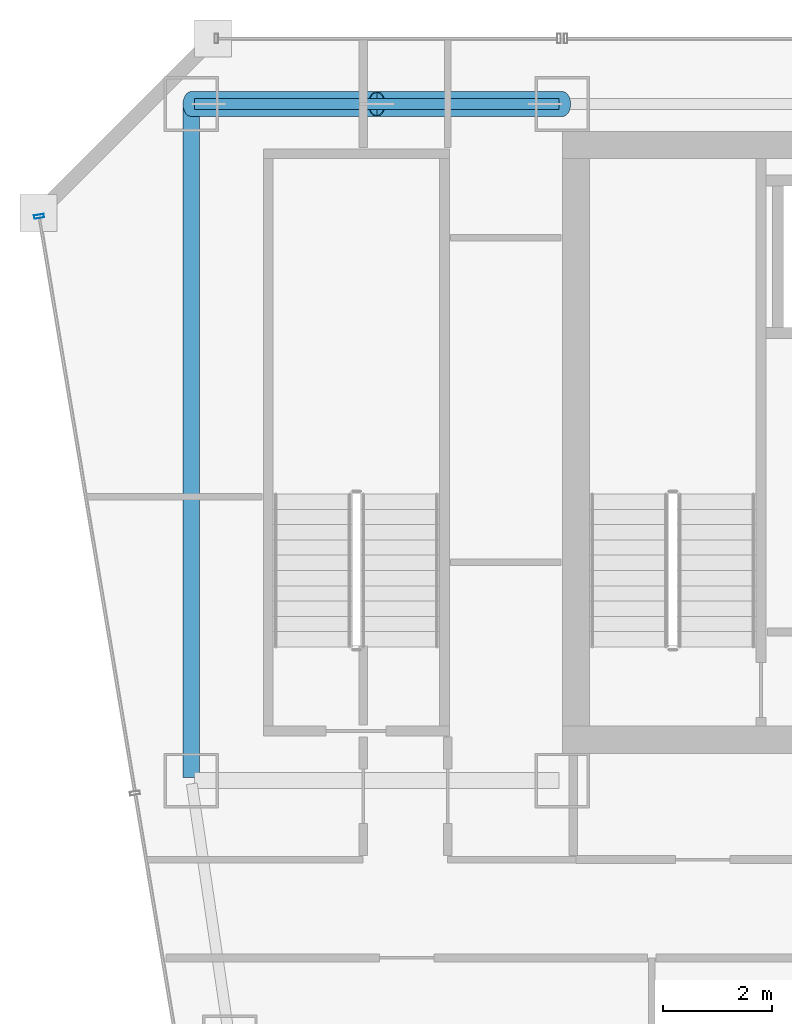
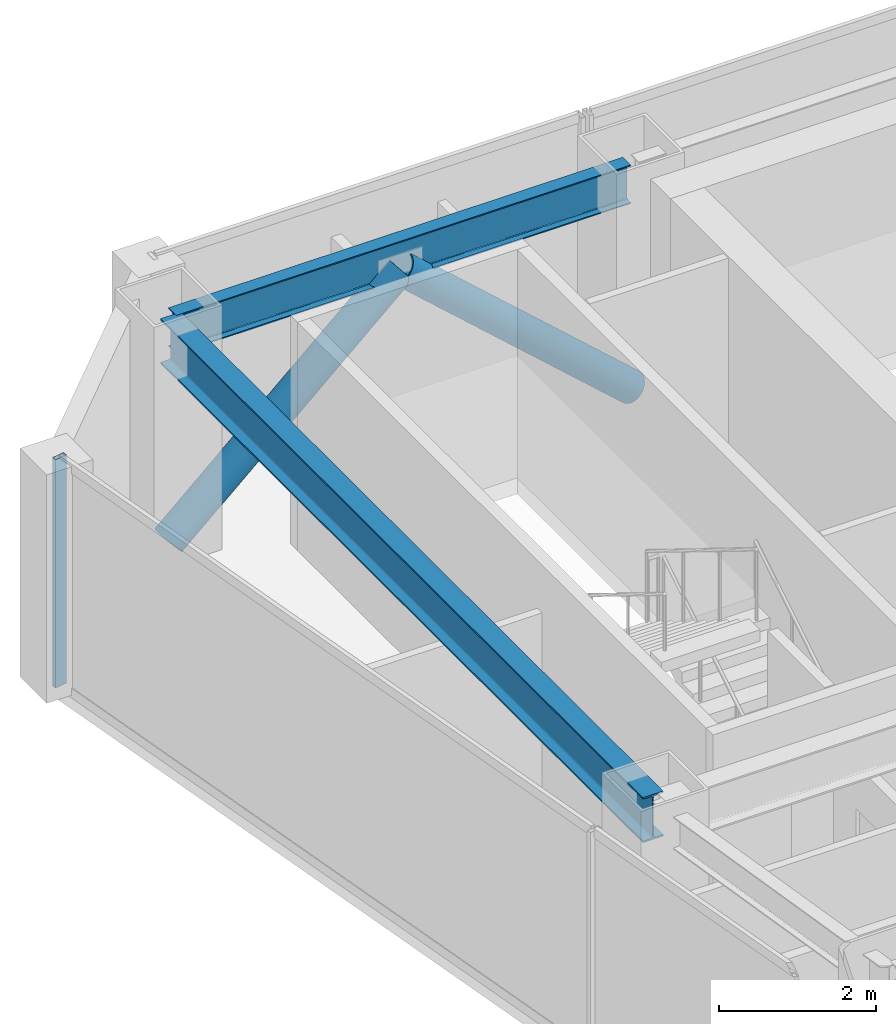
# One storey, part 20 of 36: 3 members, 2 beams, 1 element without a shape of its own.
"""IFC4 building model written with IfcOpenShell, lengths in metres."""

import ifcopenshell
import ifcopenshell.guid

model = None  # the IFC model being written
_history = None  # IfcOwnerHistory: only IFC2X3 demands one
_inside = {}  # id of a spatial element -> (the spatial element, [elements in it])
_under = {}  # id of a project, library or spatial element -> (it, [spatial elements below it])
_declared = {}  # id of a project -> (the project, [libraries it declares])
_typed = {}  # id of a type object -> (the type object, [elements of that type])
_made_of = {}  # id of a material, layer set ... -> (it, [elements and type objects made of it])


def new_model(schema):
    """Start an empty IFC model of exactly this schema.

    Asked for "IFC4X3", IfcOpenShell would pick the latest addendum, in which some entities
    have other attributes; the version numbers below select the first issue.
    IFC2X3 requires an IfcOwnerHistory on every rooted entity: one is made here for all.
    """
    global model, _history
    if schema == "IFC4X3":
        model = ifcopenshell.file(schema_version=(4, 3, 0, 0))
    else:
        model = ifcopenshell.file(schema=schema)
    _inside.clear()
    _under.clear()
    _declared.clear()
    _typed.clear()
    _made_of.clear()
    _history = None
    if model.schema == "IFC2X3":
        org = make("IfcOrganization", Name="unknown")
        user = make(
            "IfcPersonAndOrganization",
            ThePerson=make("IfcPerson", FamilyName="unknown"),
            TheOrganization=org,
        )
        app = make(
            "IfcApplication",
            ApplicationDeveloper=org,
            Version="unknown",
            ApplicationFullName="unknown",
            ApplicationIdentifier="unknown",
        )
        _history = make(
            "IfcOwnerHistory",
            OwningUser=user,
            OwningApplication=app,
            ChangeAction="ADDED",
            CreationDate=0,
        )
    return model


def make(cls, **values):
    """One entity of the class cls with the attributes given. An attribute that is None is left unset."""
    return model.create_entity(
        cls, **{name: value for name, value in values.items() if value is not None}
    )


def rooted(cls, **values):
    """An entity with a GlobalId (a new one), such as an element, a storey or a relation."""
    return make(cls, GlobalId=ifcopenshell.guid.new(), OwnerHistory=_history, **values)


def si_unit(unit_type, name, prefix=None):
    """IfcSIUnit, for example si_unit("LENGTHUNIT", "METRE", prefix="MILLI")."""
    return make("IfcSIUnit", UnitType=unit_type, Prefix=prefix, Name=name)


def assignment(units):
    """IfcUnitAssignment: the units of a project."""
    return None if units is None else make("IfcUnitAssignment", Units=units)


def point(xyz):
    """IfcCartesianPoint."""
    return None if xyz is None else make("IfcCartesianPoint", Coordinates=xyz)


def direction(xyz):
    """IfcDirection."""
    return None if xyz is None else make("IfcDirection", DirectionRatios=xyz)


def frame(location, z_axis=None, x_axis=None):
    """IfcAxis2Placement3D, a coordinate frame: its origin and axes. An axis left out is left unset."""
    return make(
        "IfcAxis2Placement3D",
        Location=point(location),
        Axis=direction(z_axis),
        RefDirection=direction(x_axis),
    )


def frame_2d(location, x_axis=None):
    """IfcAxis2Placement2D, a coordinate frame in the plane: its origin and x axis."""
    return make(
        "IfcAxis2Placement2D", Location=point(location), RefDirection=direction(x_axis)
    )


def origin():
    """The frame at (0, 0, 0) with its axes left unset."""
    return frame((0.0, 0.0, 0.0))


def origin_2d():
    """The frame at (0, 0) in the plane with its x axis left unset."""
    return frame_2d((0.0, 0.0))


def place(relative_to, where):
    """IfcLocalPlacement: puts the frame where relative to a parent placement (None: the world)."""
    return make(
        "IfcLocalPlacement", PlacementRelTo=relative_to, RelativePlacement=where
    )


def context(
    kind, dimensions, precision=None, world=None, true_north=None, identifier=None
):
    """IfcGeometricRepresentationContext, for example the 3D "Model" context."""
    return make(
        "IfcGeometricRepresentationContext",
        ContextIdentifier=identifier,
        ContextType=kind,
        CoordinateSpaceDimension=dimensions,
        Precision=precision,
        WorldCoordinateSystem=world,
        TrueNorth=true_north,
    )


def subcontext(parent, identifier, kind, view, scale=None):
    """IfcGeometricRepresentationSubContext, for example "Body" below "Model"."""
    return make(
        "IfcGeometricRepresentationSubContext",
        ContextIdentifier=identifier,
        ContextType=kind,
        ParentContext=parent,
        TargetScale=scale,
        TargetView=view,
    )


def project(units=None, contexts=None):
    """IfcProject with its units and contexts."""
    return rooted(
        "IfcProject",
        Name="project",
        RepresentationContexts=contexts,
        UnitsInContext=assignment(units),
    )


def spatial(cls, under=None, at=None, **own):
    """A site, building, storey or space (cls), placed at a placement, below another one or the project."""
    s = rooted(cls, ObjectPlacement=at, **own)
    if under is not None:
        _under.setdefault(under.id(), (under, []))[1].append(s)
    return s


def profile(cls, at=None, kind="AREA", **sizes):
    """A parametric profile (cls). Its sizes go by their IFC names, for example OverallWidth=200.0."""
    return make(cls, ProfileType=kind, Position=at, **sizes)


def hollow_rectangle(**sizes):
    """IfcRectangleHollowProfileDef."""
    return profile("IfcRectangleHollowProfileDef", **sizes)


def hollow_circle(**sizes):
    """IfcCircleHollowProfileDef."""
    return profile("IfcCircleHollowProfileDef", **sizes)


def i_section(**sizes):
    """IfcIShapeProfileDef."""
    return profile("IfcIShapeProfileDef", **sizes)


def extrude(swept, where, along, depth):
    """IfcExtrudedAreaSolid: the profile swept, set in the frame where, extruded along a direction by depth."""
    return make(
        "IfcExtrudedAreaSolid",
        SweptArea=swept,
        Position=where,
        ExtrudedDirection=direction(along),
        Depth=depth,
    )


def shape(context_of_items, identifier, shape_type, items):
    """IfcShapeRepresentation: the items that make up one representation, for example the "Body"."""
    return make(
        "IfcShapeRepresentation",
        ContextOfItems=context_of_items,
        RepresentationIdentifier=identifier,
        RepresentationType=shape_type,
        Items=items,
    )


def material(Name=None, Category=None):
    """IfcMaterial."""
    return make("IfcMaterial", Name=Name, Category=Category)


def material_profile(
    of_material, cross_section, Name=None, Category=None, Priority=None
):
    """IfcMaterialProfile: a cross section and its material."""
    return make(
        "IfcMaterialProfile",
        Name=Name,
        Material=of_material,
        Profile=cross_section,
        Priority=Priority,
        Category=Category,
    )


def profile_set(profiles, Name=None, composite=None):
    """IfcMaterialProfileSet."""
    return make(
        "IfcMaterialProfileSet",
        Name=Name,
        MaterialProfiles=profiles,
        CompositeProfile=composite,
    )


def made_of(thing, what):
    """Note that an element or type object is made of a material, layer set ...; save() writes the relation."""
    if what is not None:
        _made_of.setdefault(what.id(), (what, []))[1].append(thing)
    return thing


def type_object(cls, material=None, **own):
    """A type object (cls), such as IfcWallType, which elements share."""
    return made_of(rooted(cls, **own), material)


def element(
    cls,
    number,
    at=None,
    inside=None,
    cuts=None,
    type_object=None,
    material=None,
    context=None,
    identifier="Body",
    shape_type=None,
    held_by="IfcProductDefinitionShape",
    body=None,
    shapes=None,
    **own,
):
    """One element of the class cls, such as IfcWall. Its Tag is "e" and its number.

    at: its placement. inside: the storey or other place that contains it. cuts: it is an
    opening in that element (IfcRelVoidsElement). A single representation is given by context,
    identifier, shape_type and body (its items); several are given by shapes. held_by: the class
    of the entity that holds the representations. save() writes the other relations.
    """
    e = rooted(cls, Tag="e%d" % number, ObjectPlacement=at, **own)
    if body is not None:
        shapes = [shape(context, identifier, shape_type, body)]
    if shapes is not None:
        e.Representation = make(held_by, Representations=shapes)
    if inside is not None:
        _inside.setdefault(inside.id(), (inside, []))[1].append(e)
    if cuts is not None:
        rooted(
            "IfcRelVoidsElement", RelatingBuildingElement=cuts, RelatedOpeningElement=e
        )
    if type_object is not None:
        _typed.setdefault(type_object.id(), (type_object, []))[1].append(e)
    return made_of(e, material)


def aggregate(whole, parts):
    """IfcRelAggregates: a whole, such as a stair, and the parts it consists of."""
    return rooted("IfcRelAggregates", RelatingObject=whole, RelatedObjects=parts)


def save(model, path):
    """Write the relations noted so far, then the file.

    IfcRelAggregates (storeys below a building ...), IfcRelContainedInSpatialStructure (elements
    in a storey), IfcRelDefinesByType, IfcRelAssociatesMaterial and IfcRelDeclares: one each for
    every whole, place, type object, material and project.
    """
    for whole, parts in _under.values():
        aggregate(whole, parts)
    for where, things in _inside.values():
        rooted(
            "IfcRelContainedInSpatialStructure",
            RelatedElements=things,
            RelatingStructure=where,
        )
    for kind, things in _typed.values():
        rooted("IfcRelDefinesByType", RelatedObjects=things, RelatingType=kind)
    for what, things in _made_of.values():
        rooted("IfcRelAssociatesMaterial", RelatedObjects=things, RelatingMaterial=what)
    for by, libraries in _declared.values():
        rooted("IfcRelDeclares", RelatingContext=by, RelatedDefinitions=libraries)
    model.write(path)


model = new_model("IFC4")

# Units and contexts
model_context = context("Model", 3, precision=1e-05, world=origin(), true_north=direction((0.0, 1.0)))
body_context = subcontext(model_context, "Body", "Model", "MODEL_VIEW")
ifc_project = project(units=[si_unit("LENGTHUNIT", "METRE"), si_unit("AREAUNIT", "SQUARE_METRE"), si_unit("VOLUMEUNIT", "CUBIC_METRE"), si_unit("PLANEANGLEUNIT", "RADIAN"), si_unit("MASSUNIT", "GRAM", prefix="KILO")], contexts=[model_context])

# Site, building, storey
site_placement = place(None, origin())
site = spatial("IfcSite", under=ifc_project, at=site_placement, CompositionType="ELEMENT")
building_placement = place(site_placement, origin())
building = spatial("IfcBuilding", under=site, at=building_placement, Name="Saevonmaru Cultural Tower", CompositionType="ELEMENT")
storey_placement = place(building_placement, frame((0.0, 0.0, 148.60009765625)))
storey = spatial("IfcBuildingStorey", under=building, at=storey_placement, Name="L32", CompositionType="ELEMENT", Elevation=148.60009765625)

# Beams
ifc_material_1 = material(Name="Steel SM355", Category="steel")
ifc_material_profile_1 = material_profile(ifc_material_1, i_section(OverallWidth=0.300048828125, OverallDepth=0.699951171875, WebThickness=0.012939453125, FlangeThickness=0.02392578125, FilletRadius=0.02587890625, at=origin_2d()), Name="H-700x300x13x24")
ifc_profile_set_1 = profile_set([ifc_material_profile_1], Name="Steel SM355")
beam_type_1 = type_object("IfcBeamType", Name="BM-G-H700", PredefinedType="BEAM", material=ifc_profile_set_1)
beam_1_placement = place(storey_placement, frame((6.800048828125, 54.739990234375, 3.199951171875), z_axis=(0.0, -1.0, 0.0), x_axis=(1.0, 0.0, 0.0)))
element("IfcBeam", 1, at=beam_1_placement, inside=storey, type_object=beam_type_1, Name="L32 Spine Transverse Girder W", PredefinedType="BEAM", context=body_context, shape_type="SweptSolid", body=[
    extrude(i_section(OverallWidth=0.300048828125, OverallDepth=0.699951171875, WebThickness=0.012939453125, FlangeThickness=0.02392578125, FilletRadius=0.02587890625, at=origin_2d()), origin(), (0.0, 0.0, 1.0), 12.280029296875),
])
ifc_material_profile_2 = material_profile(ifc_material_1, i_section(OverallWidth=0.199951171875, OverallDepth=0.60009765625, WebThickness=0.010986328125, FlangeThickness=0.01708984375, FilletRadius=0.02197265625, at=origin_2d()), Name="H-600x200x11x17")
ifc_profile_set_2 = profile_set([ifc_material_profile_2], Name="Steel SM355")
beam_type_2 = type_object("IfcBeamType", Name="BM-SP-H600", PredefinedType="SPANDREL", material=ifc_profile_set_2)
beam_2_placement = place(storey_placement, frame((6.860107421875, 54.800048828125, 3.25), z_axis=(1.0, 0.0, 0.0), x_axis=(0.0, 1.0, 0.0)))
element("IfcBeam", 2, at=beam_2_placement, inside=storey, type_object=beam_type_2, Name="L32 North Spine Girder 1", PredefinedType="SPANDREL", context=body_context, shape_type="SweptSolid", body=[
    extrude(i_section(OverallWidth=0.199951171875, OverallDepth=0.60009765625, WebThickness=0.010986328125, FlangeThickness=0.01708984375, FilletRadius=0.02197265625, at=origin_2d()), origin(), (0.0, 0.0, 1.0), 6.679931640625),
])

# Members
ifc_material_2 = material(Name="Steel SM420", Category="steel")
ifc_material_profile_3 = material_profile(ifc_material_2, hollow_circle(Radius=0.228515625, WallThickness=0.02001953125, at=origin_2d()), Name="CHS-457.2x20")
ifc_profile_set_3 = profile_set([ifc_material_profile_3], Name="Steel SM420")
member_type_1 = type_object("IfcMemberType", Name="MB-PBR-CHS457", PredefinedType="BRACE", material=ifc_profile_set_3)
member_1_placement = place(storey_placement, frame((6.800048828125, 54.800048828125, 0.02001953125), z_axis=(0.744393515062, 0.0, 0.667741188436), x_axis=(0.0, 1.0, 0.0)))
element("IfcMember", 3, at=member_1_placement, inside=storey, type_object=member_type_1, Name="L32 Perimeter Braced-Tube Diagonal WN1", PredefinedType="BRACE", context=body_context, shape_type="SweptSolid", body=[
    extrude(hollow_circle(Radius=0.228515625, WallThickness=0.02001953125, at=origin_2d()), origin(), (0.0, 0.0, 1.0), 4.5673828125),
])
member_2_placement = place(storey_placement, frame((13.60009765625, 54.800048828125, 0.02001953125), z_axis=(-0.744417347397, 0.0, 0.66771461935), x_axis=(0.0, -1.0, 0.0)))
element("IfcMember", 4, at=member_2_placement, inside=storey, type_object=member_type_1, Name="L32 Perimeter Braced-Tube Diagonal WN2", PredefinedType="BRACE", context=body_context, shape_type="SweptSolid", body=[
    extrude(hollow_circle(Radius=0.228515625, WallThickness=0.02001953125, at=origin_2d()), origin(), (0.0, 0.0, 1.0), 4.567626953125),
])

# Curtain wall, member
ifc_material_3 = material(Name="Satin Bronze Anodised Aluminium", Category="aluminium")
curtain_wall_type = type_object("IfcCurtainWallType", Name="CW-TYP-A", PredefinedType="NOTDEFINED", material=ifc_material_3)
curtain_wall_placement = place(storey_placement, origin())
curtain_wall = element("IfcCurtainWall", 5, at=curtain_wall_placement, inside=storey, type_object=curtain_wall_type, Name="L32 Unitised Curtain Wall E12", PredefinedType="NOTDEFINED")
ifc_material_profile_4 = material_profile(ifc_material_3, hollow_rectangle(XDim=0.06494140625, YDim=0.179931640625, WallThickness=0.00390625, at=origin_2d()), Name="ALU-MULL-180x65x4")
ifc_profile_set_4 = profile_set([ifc_material_profile_4], Name="Satin Bronze Anodised Aluminium")
member_type_2 = type_object("IfcMemberType", Name="ML-CW-180x65", PredefinedType="MULLION", material=ifc_profile_set_4)
member_3_placement = place(storey_placement, frame((4.009765625, 52.74072265625, 0.0), z_axis=(0.0, 0.0, 1.0), x_axis=(0.163998702345, -0.986460554523, 0.0)))
member_3 = element("IfcMember", 6, at=member_3_placement, type_object=member_type_2, Name="CW-TW-L32-E12 mullion 1", PredefinedType="MULLION", context=body_context, shape_type="SweptSolid", body=[
    extrude(hollow_rectangle(XDim=0.06494140625, YDim=0.179931640625, WallThickness=0.00390625, at=origin_2d()), origin(), (0.0, 0.0, 1.0), 3.5498046875),
])
aggregate(curtain_wall, [member_3])

save(model, "model.ifc")
